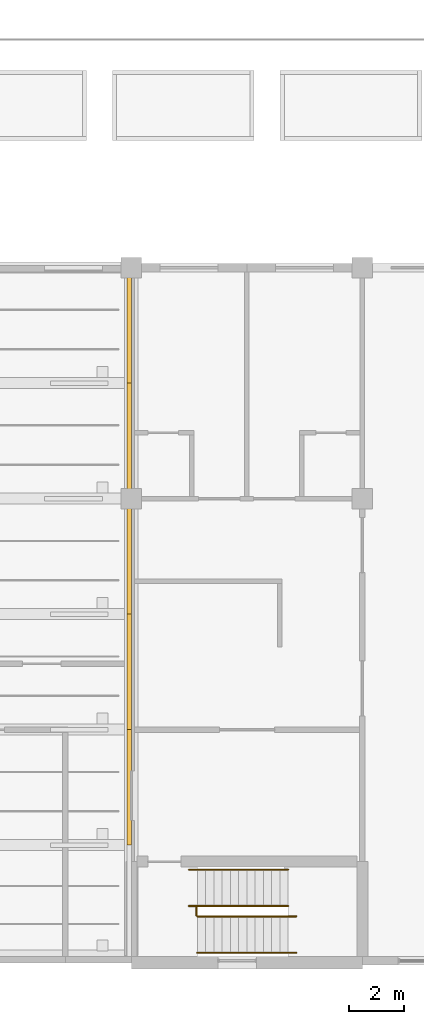
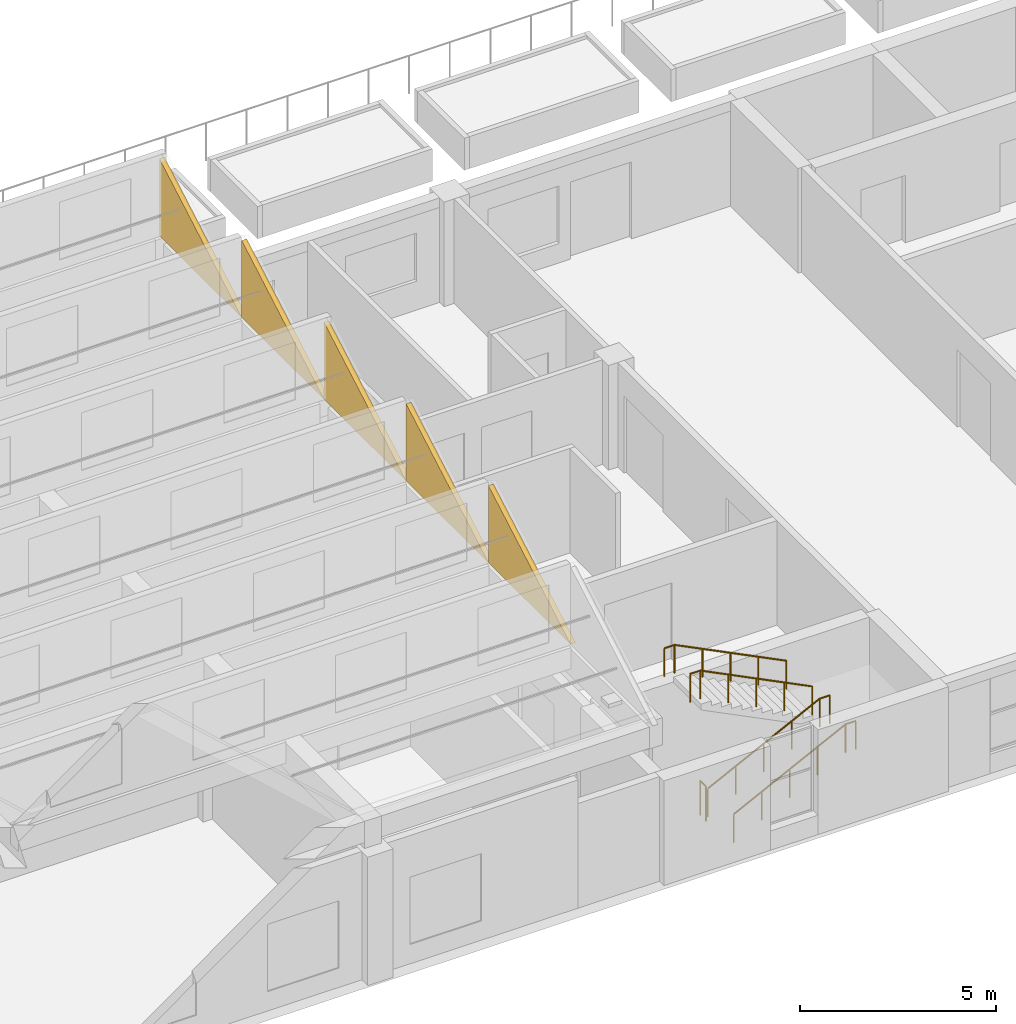
# One storey, part 57 of 61: 5 coverings, 5 railings.
"""IFC4 building model written with IfcOpenShell, lengths in metres."""

from ifc_helpers import new_model, si_unit, direction, frame, origin, origin_2d, place, context, subcontext, project, spatial, polyline, circle, outline, extrude, material, layer, layer_set, type_object, element, save


model = new_model("IFC4")

# Units and contexts
model_context = context("Model", 3, precision=1e-05, world=origin(), true_north=direction((0.0, 1.0)))
body_context = subcontext(model_context, "Body", "Model", "MODEL_VIEW")
ifc_project = project(units=[si_unit("LENGTHUNIT", "METRE"), si_unit("AREAUNIT", "SQUARE_METRE"), si_unit("VOLUMEUNIT", "CUBIC_METRE"), si_unit("PLANEANGLEUNIT", "RADIAN"), si_unit("MASSUNIT", "GRAM", prefix="KILO")], contexts=[model_context])

# Site, building, storey
site_placement = place(None, origin())
site = spatial("IfcSite", under=ifc_project, at=site_placement, CompositionType="ELEMENT")
building_placement = place(site_placement, origin())
building = spatial("IfcBuilding", under=site, at=building_placement, Name="Yavir Park General Hospital", CompositionType="ELEMENT")
storey_placement = place(building_placement, frame((0.0, 0.0, 15.300048828125)))
storey = spatial("IfcBuildingStorey", under=building, at=storey_placement, Name="L03", CompositionType="ELEMENT", Elevation=15.300048828125)

# Coverings
ifc_material_1 = material(Name="Glass-fibre reinforced concrete", Category="concrete")
ifc_layer = layer(ifc_material_1, 0.14990234375)
ifc_layer_set = layer_set([ifc_layer], Name="Glass-fibre reinforced concrete")
covering_type = type_object("IfcCoveringType", Name="Gable end GFRC panel 150", PredefinedType="CLADDING", material=ifc_layer_set)
covering_1_placement = place(storey_placement, frame((100.800048828125, 4.199951171875, 4.846923828125), z_axis=(1.0, 0.0, 0.0), x_axis=(0.0, 1.0, 0.0)))
element("IfcCovering", 1, at=covering_1_placement, inside=storey, type_object=covering_type, Name="Gable end panel SAW-E-T02", PredefinedType="CLADDING", context=body_context, shape_type="SweptSolid", body=[
    extrude(outline(polyline([(0.0, 0.0), (4.199951171875, 0.0), (4.199951171875, 2.400146484375), (0.0, 0.0)])), origin(), (0.0, 0.0, -1.0), 0.14990234375),
])
covering_2_placement = place(storey_placement, frame((100.800048828125, 8.39990234375, 4.846923828125), z_axis=(1.0, 0.0, 0.0), x_axis=(0.0, 1.0, 0.0)))
element("IfcCovering", 2, at=covering_2_placement, inside=storey, type_object=covering_type, Name="Gable end panel SAW-E-T03", PredefinedType="CLADDING", context=body_context, shape_type="SweptSolid", body=[
    extrude(outline(polyline([(0.0, 0.0), (4.2001953125, 0.0), (4.2001953125, 2.400146484375), (0.0, 0.0)])), origin(), (0.0, 0.0, -1.0), 0.14990234375),
])
for number, where, z_axis, x_axis, name in (
    (3, (100.800048828125, 12.60009765625, 4.846923828125), (1.0, 0.0, 0.0), (0.0, 1.0, 0.0), "Gable end panel SAW-E-T04"),
    (4, (100.800048828125, 16.800048828125, 4.846923828125), (1.0, 0.0, 0.0), (0.0, 1.0, 0.0), "Gable end panel SAW-E-T05"),
    (5, (100.800048828125, 21.0, 4.846923828125), (1.0, 0.0, 0.0), (0.0, 1.0, 0.0), "Gable end panel SAW-E-T06"),
):
    element("IfcCovering", number, at=place(storey_placement, frame(where, z_axis=z_axis, x_axis=x_axis)), inside=storey, type_object=covering_type, Name=name, PredefinedType="CLADDING", context=body_context, shape_type="SweptSolid", body=[
        extrude(outline(polyline([(0.0, 0.0), (4.199951171875, 0.0), (4.199951171875, 2.400146484375), (0.0, 0.0)])), origin(), (0.0, 0.0, -1.0), 0.14990234375),
    ])

# Railings
ifc_material_2 = material(Name="Steel balustrade with infill rods", Category="steel")
railing_type_1 = type_object("IfcRailingType", Name="Stair guard, steel balustrade 1100 mm", PredefinedType="GUARDRAIL", material=ifc_material_2)
railing_placement = place(storey_placement, frame((103.169921875, 1.64990234375, 0.0)))
element("IfcRailing", 6, at=railing_placement, inside=storey, type_object=railing_type_1, Name="Stair well guard SU4 L03", PredefinedType="GUARDRAIL", context=body_context, shape_type="SweptSolid", body=[
    extrude(circle(Radius=0.02392578125, at=origin_2d()), frame((0.0, 0.0, 1.076171875), z_axis=(0.0, 1.0, 0.0), x_axis=(-1.0, 0.0, 0.0)), (0.0, 0.0, 1.0), 0.300048828125),
    extrude(circle(Radius=0.02099609375, at=origin_2d()), origin(), (0.0, 0.0, 1.0), 1.052001953125),
    extrude(circle(Radius=0.02099609375, at=origin_2d()), frame((0.0, 0.300048828125, 0.0)), (0.0, 0.0, 1.0), 1.052001953125),
])
ifc_material_3 = material(Name="Stainless steel tube 48 mm", Category="steel")
railing_type_2 = type_object("IfcRailingType", Name="Stair handrail, steel tube, 900 mm above the nosings", PredefinedType="HANDRAIL", material=ifc_material_3)
for number, where, name in (
    (7, (103.199951171875, 0.2900390625, 0.14990234375), "Handrail SU4 L03 1"),
    (8, (103.199951171875, 1.610107421875, 0.14990234375), "Handrail SU4 L03 2"),
):
    element("IfcRailing", number, at=place(storey_placement, frame(where)), inside=storey, type_object=railing_type_2, Name=name, PredefinedType="HANDRAIL", context=body_context, shape_type="SweptSolid", body=[
        extrude(circle(Radius=0.02392578125, at=origin_2d()), frame((0.0, 0.0, 0.8759765625), z_axis=(0.894413956696, 0.0, 0.447240063129), x_axis=(0.0, 1.0, 0.0)), (0.0, 0.0, 1.0), 3.689697265625),
        extrude(circle(Radius=0.02392578125, at=origin_2d()), frame((3.300048828125, 0.0, 2.52587890625), z_axis=(1.0, 0.0, 0.0), x_axis=(0.0, 1.0, 0.0)), (0.0, 0.0, 1.0), 0.300048828125),
        extrude(circle(Radius=0.02099609375, at=origin_2d()), origin(), (0.0, 0.0, 1.0), 0.851806640625),
        extrude(circle(Radius=0.02099609375, at=origin_2d()), frame((0.824951171875, 0.0, 0.41259765625)), (0.0, 0.0, 1.0), 0.851806640625),
        extrude(circle(Radius=0.02099609375, at=origin_2d()), frame((1.64990234375, 0.0, 0.8251953125)), (0.0, 0.0, 1.0), 0.851806640625),
        extrude(circle(Radius=0.02099609375, at=origin_2d()), frame((2.47509765625, 0.0, 1.237548828125)), (0.0, 0.0, 1.0), 0.851806640625),
        extrude(circle(Radius=0.02099609375, at=origin_2d()), frame((3.300048828125, 0.0, 1.650146484375)), (0.0, 0.0, 1.0), 0.851806640625),
        extrude(circle(Radius=0.02099609375, at=origin_2d()), frame((3.60009765625, 0.0, 1.650146484375)), (0.0, 0.0, 1.0), 0.851806640625),
    ])
for number, where, name in (
    (9, (106.5, 3.31005859375, 1.949951171875), "Handrail SU4 L03 3"),
    (10, (106.5, 1.989990234375, 1.949951171875), "Handrail SU4 L03 4"),
):
    element("IfcRailing", number, at=place(storey_placement, frame(where)), inside=storey, type_object=railing_type_2, Name=name, PredefinedType="HANDRAIL", context=body_context, shape_type="SweptSolid", body=[
        extrude(circle(Radius=0.02392578125, at=origin_2d()), frame((0.0, 0.0, 0.8759765625), z_axis=(-0.894440424912, 0.0, 0.447187126696), x_axis=(0.0, -1.0, 0.0)), (0.0, 0.0, 1.0), 3.689453125),
        extrude(circle(Radius=0.02392578125, at=origin_2d()), frame((-3.300048828125, 0.0, 2.52587890625), z_axis=(-1.0, 0.0, 0.0), x_axis=(0.0, -1.0, 0.0)), (0.0, 0.0, 1.0), 0.300048828125),
        extrude(circle(Radius=0.02099609375, at=origin_2d()), origin(), (0.0, 0.0, 1.0), 0.851806640625),
        extrude(circle(Radius=0.02099609375, at=origin_2d()), frame((-0.824951171875, 0.0, 0.41259765625)), (0.0, 0.0, 1.0), 0.851806640625),
        extrude(circle(Radius=0.02099609375, at=origin_2d()), frame((-1.64990234375, 0.0, 0.824951171875)), (0.0, 0.0, 1.0), 0.851806640625),
        extrude(circle(Radius=0.02099609375, at=origin_2d()), frame((-2.47509765625, 0.0, 1.2373046875)), (0.0, 0.0, 1.0), 0.851806640625),
        extrude(circle(Radius=0.02099609375, at=origin_2d()), frame((-3.300048828125, 0.0, 1.64990234375)), (0.0, 0.0, 1.0), 0.851806640625),
        extrude(circle(Radius=0.02099609375, at=origin_2d()), frame((-3.60009765625, 0.0, 1.64990234375)), (0.0, 0.0, 1.0), 0.851806640625),
    ])

save(model, "model.ifc")
